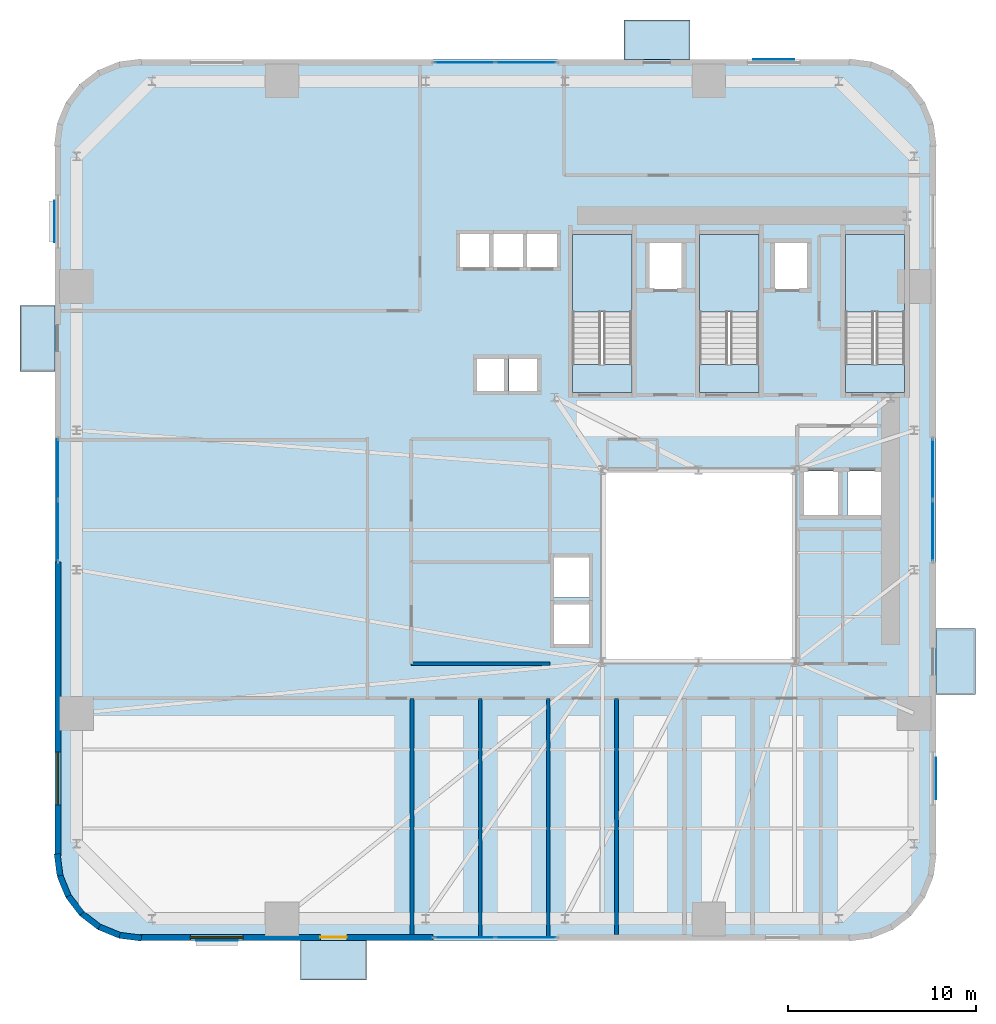
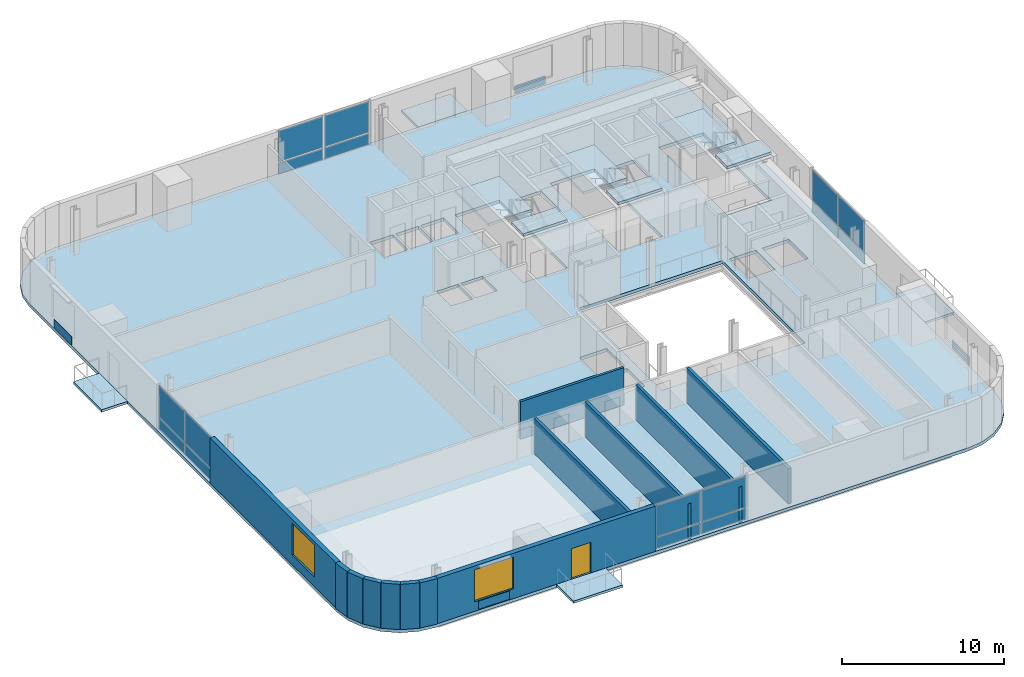
# One storey, part 5 of 13: 20 plates, 13 walls, 11 slabs, 2 windows, 1 door, 3 openings, 7 elements without a shape of their own.
"""IFC4 building model written with IfcOpenShell, lengths in metres."""

from ifc_helpers import new_model, si_unit, direction, frame, frame_2d, origin, origin_2d, place, context, subcontext, project, spatial, polyline, rectangle, outline, extrude, source, transform, mapped, material, layer, layer_set, type_object, element, fill, aggregate, save


model = new_model("IFC4")

# Units and contexts
model_context = context("Model", 3, precision=1e-05, world=origin(), true_north=direction((0.0, 1.0)))
body_context = subcontext(model_context, "Body", "Model", "MODEL_VIEW")
ifc_project = project(units=[si_unit("LENGTHUNIT", "METRE"), si_unit("AREAUNIT", "SQUARE_METRE"), si_unit("VOLUMEUNIT", "CUBIC_METRE"), si_unit("PLANEANGLEUNIT", "RADIAN"), si_unit("MASSUNIT", "GRAM", prefix="KILO")], contexts=[model_context])

# Site, building, storey
site_placement = place(None, origin())
site = spatial("IfcSite", under=ifc_project, at=site_placement, CompositionType="ELEMENT")
building_placement = place(site_placement, origin())
building = spatial("IfcBuilding", under=site, at=building_placement, Name="Vardaveli Station Tower", CompositionType="ELEMENT")
storey_placement = place(building_placement, frame((0.0, 0.0, 64.10009765625)))
storey = spatial("IfcBuildingStorey", under=building, at=storey_placement, Name="L16", CompositionType="ELEMENT", Elevation=64.10009765625)

# Stair, slabs
ifc_material_1 = material(Name="Concrete C40/50", Category="concrete")
stair_type = type_object("IfcStairType", Name="STR-CORE-1500", PredefinedType="HALF_TURN_STAIR", material=ifc_material_1)
stair_1_placement = place(storey_placement, origin())
stair_1 = element("IfcStair", 1, at=stair_1_placement, inside=storey, type_object=stair_type, Name="L16 ST-1", PredefinedType="HALF_TURN_STAIR")
ifc_layer_1 = layer(ifc_material_1, 0.199951171875, Name="Concrete C40/50")
ifc_layer_set_1 = layer_set([ifc_layer_1], Name="Concrete C40/50")
slab_type_1 = type_object("IfcSlabType", Name="SLB-LAND-200", PredefinedType="LANDING", material=ifc_layer_set_1)
slab_1_placement = place(storey_placement, frame((0.0, 0.0, 1.625)))
slab_1 = element("IfcSlab", 2, at=slab_1_placement, type_object=slab_type_1, Name="ST-1 landing 1", PredefinedType="LANDING", context=body_context, shape_type="SweptSolid", body=[
    extrude(outline(polyline([(32.75, 35.199951171875), (32.75, 39.300048828125), (29.60009765625, 39.300048828125), (29.60009765625, 35.199951171875), (32.75, 35.199951171875)])), origin(), (0.0, 0.0, 1.0), 0.199951171875),
])
slab_2_placement = place(storey_placement, frame((0.0, 0.0, 3.449951171875)))
slab_2 = element("IfcSlab", 3, at=slab_2_placement, type_object=slab_type_1, Name="ST-1 landing 2", PredefinedType="LANDING", context=body_context, shape_type="SweptSolid", body=[
    extrude(outline(polyline([(32.75, 30.89990234375), (32.75, 32.39990234375), (29.60009765625, 32.39990234375), (29.60009765625, 30.89990234375), (32.75, 30.89990234375)])), origin(), (0.0, 0.0, 1.0), 0.199951171875),
])
aggregate(stair_1, [slab_1, slab_2])

stair_2_placement = place(storey_placement, origin())
stair_2 = element("IfcStair", 4, at=stair_2_placement, inside=storey, type_object=stair_type, Name="L16 ST-2", PredefinedType="HALF_TURN_STAIR")
slab_3_placement = place(storey_placement, frame((0.0, 0.0, 1.625)))
slab_3 = element("IfcSlab", 5, at=slab_3_placement, type_object=slab_type_1, Name="ST-2 landing 1", PredefinedType="LANDING", context=body_context, shape_type="SweptSolid", body=[
    extrude(outline(polyline([(39.5, 35.199951171875), (39.5, 39.300048828125), (36.35009765625, 39.300048828125), (36.35009765625, 35.199951171875), (39.5, 35.199951171875)])), origin(), (0.0, 0.0, 1.0), 0.199951171875),
])
slab_4_placement = place(storey_placement, frame((0.0, 0.0, 3.449951171875)))
slab_4 = element("IfcSlab", 6, at=slab_4_placement, type_object=slab_type_1, Name="ST-2 landing 2", PredefinedType="LANDING", context=body_context, shape_type="SweptSolid", body=[
    extrude(outline(polyline([(39.5, 30.89990234375), (39.5, 32.39990234375), (36.35009765625, 32.39990234375), (36.35009765625, 30.89990234375), (39.5, 30.89990234375)])), origin(), (0.0, 0.0, 1.0), 0.199951171875),
])
aggregate(stair_2, [slab_3, slab_4])

stair_3_placement = place(storey_placement, origin())
stair_3 = element("IfcStair", 7, at=stair_3_placement, inside=storey, type_object=stair_type, Name="L16 ST-3", PredefinedType="HALF_TURN_STAIR")
slab_5_placement = place(storey_placement, frame((0.0, 0.0, 1.625)))
slab_5 = element("IfcSlab", 8, at=slab_5_placement, type_object=slab_type_1, Name="ST-3 landing 1", PredefinedType="LANDING", context=body_context, shape_type="SweptSolid", body=[
    extrude(outline(polyline([(47.25, 35.199951171875), (47.25, 39.300048828125), (44.10009765625, 39.300048828125), (44.10009765625, 35.199951171875), (47.25, 35.199951171875)])), origin(), (0.0, 0.0, 1.0), 0.199951171875),
])
slab_6_placement = place(storey_placement, frame((0.0, 0.0, 3.449951171875)))
slab_6 = element("IfcSlab", 9, at=slab_6_placement, type_object=slab_type_1, Name="ST-3 landing 2", PredefinedType="LANDING", context=body_context, shape_type="SweptSolid", body=[
    extrude(outline(polyline([(47.25, 30.89990234375), (47.25, 32.39990234375), (44.10009765625, 32.39990234375), (44.10009765625, 30.89990234375), (47.25, 30.89990234375)])), origin(), (0.0, 0.0, 1.0), 0.199951171875),
])
aggregate(stair_3, [slab_5, slab_6])

# Slabs
ifc_material_2 = material(Name="Precast concrete C45/55", Category="concrete")
ifc_layer_2 = layer(ifc_material_2, 0.179931640625, Name="Precast concrete C45/55")
ifc_layer_set_2 = layer_set([ifc_layer_2], Name="Precast concrete C45/55")
slab_type_2 = type_object("IfcSlabType", Name="SLB-LOGGIA-180", PredefinedType="FLOOR", material=ifc_layer_set_2)
slab_7_placement = place(storey_placement, frame((0.0, 0.0, -0.18017578125)))
element("IfcSlab", 10, at=slab_7_placement, inside=storey, type_object=slab_type_2, Name="LOG-L16-S", PredefinedType="FLOOR", context=body_context, shape_type="SweptSolid", body=[
    extrude(outline(polyline([(15.160400390625, -0.300048828125), (18.660400390625, -0.300048828125), (18.660400390625, 1.800048828125), (15.160400390625, 1.800048828125), (15.160400390625, -0.300048828125)])), origin(), (0.0, 0.0, 1.0), 0.18017578125),
])
slab_8_placement = place(storey_placement, frame((0.0, 0.0, -0.18017578125)))
element("IfcSlab", 11, at=slab_8_placement, inside=storey, type_object=slab_type_2, Name="LOG-L16-N", PredefinedType="FLOOR", context=body_context, shape_type="SweptSolid", body=[
    extrude(outline(polyline([(32.339599609375, 48.60009765625), (35.839599609375, 48.60009765625), (35.839599609375, 50.699951171875), (32.339599609375, 50.699951171875), (32.339599609375, 48.60009765625)])), origin(), (0.0, 0.0, 1.0), 0.18017578125),
])
slab_9_placement = place(storey_placement, frame((0.0, 0.0, -0.18017578125)))
element("IfcSlab", 12, at=slab_9_placement, inside=storey, type_object=slab_type_2, Name="LOG-L16-W", PredefinedType="FLOOR", context=body_context, shape_type="SweptSolid", body=[
    extrude(outline(polyline([(0.25, 32.03955078125), (2.10009765625, 32.03955078125), (2.10009765625, 35.53955078125), (0.25, 35.53955078125), (0.25, 32.03955078125)])), origin(), (0.0, 0.0, 1.0), 0.18017578125),
])
slab_10_placement = place(storey_placement, frame((0.0, 0.0, -0.18017578125)))
element("IfcSlab", 13, at=slab_10_placement, inside=storey, type_object=slab_type_2, Name="LOG-L16-E", PredefinedType="FLOOR", context=body_context, shape_type="SweptSolid", body=[
    extrude(outline(polyline([(48.89990234375, 14.8603515625), (51.0, 14.8603515625), (51.0, 18.3603515625), (48.89990234375, 18.3603515625), (48.89990234375, 14.8603515625)])), origin(), (0.0, 0.0, 1.0), 0.18017578125),
])
ifc_layer_3 = layer(ifc_material_1, 0.239990234375, Name="Concrete C40/50")
ifc_layer_set_3 = layer_set([ifc_layer_3], Name="Concrete C40/50")
slab_type_3 = type_object("IfcSlabType", Name="SLB-TOW-240", PredefinedType="FLOOR", material=ifc_layer_set_3)
slab_11_placement = place(storey_placement, frame((0.0, 0.0, -0.239990234375)))
element("IfcSlab", 14, at=slab_11_placement, inside=storey, type_object=slab_type_3, Name="SLB-L16-MAIN", PredefinedType="FLOOR", context=body_context, shape_type="SweptSolid", body=[
    extrude(outline(polyline([(2.10009765625, 6.300048828125), (2.25341796875, 5.13525390625), (2.702880859375, 4.050048828125), (3.41796875, 3.117919921875), (4.35009765625, 2.40283203125), (5.435302734375, 1.953369140625), (6.60009765625, 1.800048828125), (44.39990234375, 1.800048828125), (45.564697265625, 1.953369140625), (46.64990234375, 2.40283203125), (47.58203125, 3.117919921875), (48.297119140625, 4.050048828125), (48.74658203125, 5.13525390625), (48.89990234375, 6.300048828125), (48.89990234375, 44.10009765625), (48.74658203125, 45.2646484375), (48.297119140625, 46.35009765625), (47.58203125, 47.281982421875), (46.64990234375, 47.9970703125), (45.564697265625, 48.44677734375), (44.39990234375, 48.60009765625), (6.60009765625, 48.60009765625), (5.435302734375, 48.44677734375), (4.35009765625, 47.9970703125), (3.41796875, 47.281982421875), (2.702880859375, 46.35009765625), (2.25341796875, 45.2646484375), (2.10009765625, 44.10009765625), (2.10009765625, 6.300048828125)]), holes=[polyline([(31.199951171875, 16.60009765625), (41.39990234375, 16.60009765625), (41.39990234375, 26.800048828125), (31.199951171875, 26.800048828125), (31.199951171875, 16.60009765625)]), polyline([(32.75, 30.89990234375), (32.75, 39.300048828125), (29.60009765625, 39.300048828125), (29.60009765625, 30.89990234375), (32.75, 30.89990234375)]), polyline([(39.5, 30.89990234375), (39.5, 39.300048828125), (36.35009765625, 39.300048828125), (36.35009765625, 30.89990234375), (39.5, 30.89990234375)]), polyline([(47.25, 30.89990234375), (47.25, 39.300048828125), (44.10009765625, 39.300048828125), (44.10009765625, 30.89990234375), (47.25, 30.89990234375)]), polyline([(23.5849609375, 37.534912109375), (25.215087890625, 37.534912109375), (25.215087890625, 39.364990234375), (23.5849609375, 39.364990234375), (23.5849609375, 37.534912109375)]), polyline([(25.385009765625, 37.534912109375), (27.014892578125, 37.534912109375), (27.014892578125, 39.364990234375), (25.385009765625, 39.364990234375), (25.385009765625, 37.534912109375)]), polyline([(27.18505859375, 37.534912109375), (28.81494140625, 37.534912109375), (28.81494140625, 39.364990234375), (27.18505859375, 39.364990234375), (27.18505859375, 37.534912109375)]), polyline([(33.659912109375, 36.409912109375), (35.43994140625, 36.409912109375), (35.43994140625, 38.889892578125), (33.659912109375, 38.889892578125), (33.659912109375, 36.409912109375)]), polyline([(40.31005859375, 36.409912109375), (42.090087890625, 36.409912109375), (42.090087890625, 38.889892578125), (40.31005859375, 38.889892578125), (40.31005859375, 36.409912109375)]), polyline([(24.485107421875, 30.9599609375), (26.014892578125, 30.9599609375), (26.014892578125, 32.739990234375), (24.485107421875, 32.739990234375), (24.485107421875, 30.9599609375)]), polyline([(26.235107421875, 30.9599609375), (27.764892578125, 30.9599609375), (27.764892578125, 32.739990234375), (26.235107421875, 32.739990234375), (26.235107421875, 30.9599609375)]), polyline([(28.5849609375, 17.510009765625), (30.514892578125, 17.510009765625), (30.514892578125, 19.68994140625), (28.5849609375, 19.68994140625), (28.5849609375, 17.510009765625)]), polyline([(28.5849609375, 20.010009765625), (30.514892578125, 20.010009765625), (30.514892578125, 22.18994140625), (28.5849609375, 22.18994140625), (28.5849609375, 20.010009765625)]), polyline([(41.860107421875, 24.360107421875), (43.739990234375, 24.360107421875), (43.739990234375, 26.739990234375), (41.860107421875, 26.739990234375), (41.860107421875, 24.360107421875)]), polyline([(44.2099609375, 24.360107421875), (46.090087890625, 24.360107421875), (46.090087890625, 26.739990234375), (44.2099609375, 26.739990234375), (44.2099609375, 24.360107421875)])]), origin(), (0.0, 0.0, 1.0), 0.239990234375),
])

# Curtain wall, plates
ifc_material_3 = material(Name="Travertine stone and solar-control glass", Category="masonry")
curtain_wall_type = type_object("IfcCurtainWallType", Name="CW-SYS-2", PredefinedType="NOTDEFINED", material=ifc_material_3)
curtain_wall_1_placement = place(storey_placement, origin())
curtain_wall_1 = element("IfcCurtainWall", 15, at=curtain_wall_1_placement, inside=storey, type_object=curtain_wall_type, Name="CW-L16-S", PredefinedType="NOTDEFINED")
ifc_material_4 = material(Name="Double-glazed low-E solar-control glass", Category="glass")
ifc_layer_4 = layer(ifc_material_4, 0.035888671875, Name="Double-glazed low-E solar-control glass")
ifc_layer_set_4 = layer_set([ifc_layer_4], Name="Double-glazed low-E solar-control glass")
plate_type_1 = type_object("IfcPlateType", Name="CW-SYS-2-PAN", PredefinedType="CURTAIN_PANEL", material=ifc_layer_set_4)
shared_shape_1 = source(origin(), body_context, "Body", "SweptSolid", [
    extrude(rectangle(XDim=3.172607421875, YDim=0.035888671875, at=origin_2d()), origin(), (0.0, 0.0, 1.0), 0.822509765625),
])
plate_1_placement = place(storey_placement, frame((23.871337890625, 1.9599609375, 0.0849609375), z_axis=(0.0, 0.0, 1.0), x_axis=(1.0, 0.0, 0.0)))
plate_1 = element("IfcPlate", 16, at=plate_1_placement, type_object=plate_type_1, Name="CW-2 panel 1.1", PredefinedType="CURTAIN_PANEL", context=body_context, shape_type="MappedRepresentation", body=[
    mapped(shared_shape_1, transform((0.0, 0.0, 0.0), scale=1.0)),
])
plate_2_placement = place(storey_placement, frame((27.128662109375, 1.9599609375, 0.0849609375), z_axis=(0.0, 0.0, 1.0), x_axis=(1.0, 0.0, 0.0)))
plate_2 = element("IfcPlate", 17, at=plate_2_placement, type_object=plate_type_1, Name="CW-2 panel 2.1", PredefinedType="CURTAIN_PANEL", context=body_context, shape_type="MappedRepresentation", body=[
    mapped(shared_shape_1, transform((0.0, 0.0, 0.0), scale=1.0)),
])

curtain_wall_2_placement = place(storey_placement, origin())
curtain_wall_2 = element("IfcCurtainWall", 18, at=curtain_wall_2_placement, inside=storey, type_object=curtain_wall_type, Name="CW-L16-N", PredefinedType="NOTDEFINED")
plate_3_placement = place(storey_placement, frame((27.128662109375, 48.43994140625, 0.0849609375), z_axis=(0.0, 0.0, 1.0), x_axis=(-1.0, 0.0, 0.0)))
plate_3 = element("IfcPlate", 19, at=plate_3_placement, type_object=plate_type_1, Name="CW-2 panel 1.1", PredefinedType="CURTAIN_PANEL", context=body_context, shape_type="MappedRepresentation", body=[
    mapped(shared_shape_1, transform((0.0, 0.0, 0.0), scale=1.0)),
])
plate_4_placement = place(storey_placement, frame((23.871337890625, 48.43994140625, 0.0849609375), z_axis=(0.0, 0.0, 1.0), x_axis=(-1.0, 0.0, 0.0)))
plate_4 = element("IfcPlate", 20, at=plate_4_placement, type_object=plate_type_1, Name="CW-2 panel 2.1", PredefinedType="CURTAIN_PANEL", context=body_context, shape_type="MappedRepresentation", body=[
    mapped(shared_shape_1, transform((0.0, 0.0, 0.0), scale=1.0)),
])

curtain_wall_3_placement = place(storey_placement, origin())
curtain_wall_3 = element("IfcCurtainWall", 21, at=curtain_wall_3_placement, inside=storey, type_object=curtain_wall_type, Name="CW-L16-W", PredefinedType="NOTDEFINED")
plate_5_placement = place(storey_placement, frame((2.260009765625, 26.828857421875, 0.0849609375), z_axis=(0.0, 0.0, 1.0), x_axis=(0.0, -1.0, 0.0)))
plate_5 = element("IfcPlate", 22, at=plate_5_placement, type_object=plate_type_1, Name="CW-2 panel 1.1", PredefinedType="CURTAIN_PANEL", context=body_context, shape_type="MappedRepresentation", body=[
    mapped(shared_shape_1, transform((0.0, 0.0, 0.0), scale=1.0)),
])
plate_6_placement = place(storey_placement, frame((2.260009765625, 23.5712890625, 0.0849609375), z_axis=(0.0, 0.0, 1.0), x_axis=(0.0, -1.0, 0.0)))
plate_6 = element("IfcPlate", 23, at=plate_6_placement, type_object=plate_type_1, Name="CW-2 panel 2.1", PredefinedType="CURTAIN_PANEL", context=body_context, shape_type="MappedRepresentation", body=[
    mapped(shared_shape_1, transform((0.0, 0.0, 0.0), scale=1.0)),
])

curtain_wall_4_placement = place(storey_placement, origin())
curtain_wall_4 = element("IfcCurtainWall", 24, at=curtain_wall_4_placement, inside=storey, type_object=curtain_wall_type, Name="CW-L16-E", PredefinedType="NOTDEFINED")
plate_7_placement = place(storey_placement, frame((48.739990234375, 23.5712890625, 0.0849609375), z_axis=(0.0, 0.0, 1.0), x_axis=(0.0, 1.0, 0.0)))
plate_7 = element("IfcPlate", 25, at=plate_7_placement, type_object=plate_type_1, Name="CW-2 panel 1.1", PredefinedType="CURTAIN_PANEL", context=body_context, shape_type="MappedRepresentation", body=[
    mapped(shared_shape_1, transform((0.0, 0.0, 0.0), scale=1.0)),
])
plate_8_placement = place(storey_placement, frame((48.739990234375, 26.828857421875, 0.0849609375), z_axis=(0.0, 0.0, 1.0), x_axis=(0.0, 1.0, 0.0)))
plate_8 = element("IfcPlate", 26, at=plate_8_placement, type_object=plate_type_1, Name="CW-2 panel 2.1", PredefinedType="CURTAIN_PANEL", context=body_context, shape_type="MappedRepresentation", body=[
    mapped(shared_shape_1, transform((0.0, 0.0, 0.0), scale=1.0)),
])

# Plate
shared_shape_2 = source(origin(), body_context, "Body", "SweptSolid", [
    extrude(rectangle(XDim=3.172607421875, YDim=0.035888671875, at=origin_2d()), origin(), (0.0, 0.0, 1.0), 2.33251953125),
])
plate_9_placement = place(storey_placement, frame((23.871337890625, 1.9599609375, 0.992431640625), z_axis=(0.0, 0.0, 1.0), x_axis=(1.0, 0.0, 0.0)))
plate_9 = element("IfcPlate", 27, at=plate_9_placement, type_object=plate_type_1, Name="CW-2 panel 1.2", PredefinedType="CURTAIN_PANEL", context=body_context, shape_type="MappedRepresentation", body=[
    mapped(shared_shape_2, transform((0.0, 0.0, 0.0), scale=1.0)),
])

plate_10_placement = place(storey_placement, frame((27.128662109375, 1.9599609375, 0.992431640625), z_axis=(0.0, 0.0, 1.0), x_axis=(1.0, 0.0, 0.0)))
plate_10 = element("IfcPlate", 28, at=plate_10_placement, type_object=plate_type_1, Name="CW-2 panel 2.2", PredefinedType="CURTAIN_PANEL", context=body_context, shape_type="MappedRepresentation", body=[
    mapped(shared_shape_2, transform((0.0, 0.0, 0.0), scale=1.0)),
])

aggregate(curtain_wall_1, [plate_1, plate_9, plate_2, plate_10])

plate_11_placement = place(storey_placement, frame((27.128662109375, 48.43994140625, 0.992431640625), z_axis=(0.0, 0.0, 1.0), x_axis=(-1.0, 0.0, 0.0)))
plate_11 = element("IfcPlate", 29, at=plate_11_placement, type_object=plate_type_1, Name="CW-2 panel 1.2", PredefinedType="CURTAIN_PANEL", context=body_context, shape_type="MappedRepresentation", body=[
    mapped(shared_shape_2, transform((0.0, 0.0, 0.0), scale=1.0)),
])

plate_12_placement = place(storey_placement, frame((23.871337890625, 48.43994140625, 0.992431640625), z_axis=(0.0, 0.0, 1.0), x_axis=(-1.0, 0.0, 0.0)))
plate_12 = element("IfcPlate", 30, at=plate_12_placement, type_object=plate_type_1, Name="CW-2 panel 2.2", PredefinedType="CURTAIN_PANEL", context=body_context, shape_type="MappedRepresentation", body=[
    mapped(shared_shape_2, transform((0.0, 0.0, 0.0), scale=1.0)),
])

aggregate(curtain_wall_2, [plate_3, plate_11, plate_4, plate_12])

plate_13_placement = place(storey_placement, frame((2.260009765625, 26.828857421875, 0.992431640625), z_axis=(0.0, 0.0, 1.0), x_axis=(0.0, -1.0, 0.0)))
plate_13 = element("IfcPlate", 31, at=plate_13_placement, type_object=plate_type_1, Name="CW-2 panel 1.2", PredefinedType="CURTAIN_PANEL", context=body_context, shape_type="MappedRepresentation", body=[
    mapped(shared_shape_2, transform((0.0, 0.0, 0.0), scale=1.0)),
])

plate_14_placement = place(storey_placement, frame((2.260009765625, 23.5712890625, 0.992431640625), z_axis=(0.0, 0.0, 1.0), x_axis=(0.0, -1.0, 0.0)))
plate_14 = element("IfcPlate", 32, at=plate_14_placement, type_object=plate_type_1, Name="CW-2 panel 2.2", PredefinedType="CURTAIN_PANEL", context=body_context, shape_type="MappedRepresentation", body=[
    mapped(shared_shape_2, transform((0.0, 0.0, 0.0), scale=1.0)),
])

aggregate(curtain_wall_3, [plate_5, plate_13, plate_6, plate_14])

plate_15_placement = place(storey_placement, frame((48.739990234375, 23.5712890625, 0.992431640625), z_axis=(0.0, 0.0, 1.0), x_axis=(0.0, 1.0, 0.0)))
plate_15 = element("IfcPlate", 33, at=plate_15_placement, type_object=plate_type_1, Name="CW-2 panel 1.2", PredefinedType="CURTAIN_PANEL", context=body_context, shape_type="MappedRepresentation", body=[
    mapped(shared_shape_2, transform((0.0, 0.0, 0.0), scale=1.0)),
])

plate_16_placement = place(storey_placement, frame((48.739990234375, 26.828857421875, 0.992431640625), z_axis=(0.0, 0.0, 1.0), x_axis=(0.0, 1.0, 0.0)))
plate_16 = element("IfcPlate", 34, at=plate_16_placement, type_object=plate_type_1, Name="CW-2 panel 2.2", PredefinedType="CURTAIN_PANEL", context=body_context, shape_type="MappedRepresentation", body=[
    mapped(shared_shape_2, transform((0.0, 0.0, 0.0), scale=1.0)),
])

aggregate(curtain_wall_4, [plate_7, plate_15, plate_8, plate_16])

# Plates
ifc_material_5 = material(Name="Honed Caucasian travertine stone", Category="masonry")
ifc_layer_5 = layer(ifc_material_5, 0.034912109375, Name="Honed Caucasian travertine stone")
ifc_layer_set_5 = layer_set([ifc_layer_5], Name="Honed Caucasian travertine stone")
plate_type_2 = type_object("IfcPlateType", Name="PLT-TRAV-35", PredefinedType="SHEET", material=ifc_layer_set_5)
shared_shape_3 = source(origin(), body_context, "Body", "SweptSolid", [
    extrude(rectangle(XDim=2.199951171875, YDim=0.034912109375, at=origin_2d()), origin(), (0.0, 0.0, 1.0), 0.6201171875),
])
for number, where, z_axis, x_axis, name in (
    (35, (10.705078125, 1.79052734375, 0.06982421875), (0.0, 0.0, 1.0), (1.0, 0.0, 0.0), "PLT-TR-L16-S"),
    (36, (40.294921875, 48.609619140625, 0.06982421875), (0.0, 0.0, 1.0), (1.0, 0.0, 0.0), "PLT-TR-L16-N"),
    (37, (2.090576171875, 39.9951171875, 0.06982421875), (0.0, 0.0, 1.0), (0.0, 1.0, 0.0), "PLT-TR-L16-W"),
    (38, (48.909423828125, 10.405029296875, 0.06982421875), (0.0, 0.0, 1.0), (0.0, 1.0, 0.0), "PLT-TR-L16-E"),
):
    element("IfcPlate", number, at=place(storey_placement, frame(where, z_axis=z_axis, x_axis=x_axis)), inside=storey, type_object=plate_type_2, Name=name, PredefinedType="SHEET", context=body_context, shape_type="MappedRepresentation", body=[
        mapped(shared_shape_3, transform((0.0, 0.0, 0.0), scale=1.0)),
    ])

# Wall, openings, door, window
ifc_layer_6 = layer(ifc_material_2, 0.320068359375, Name="Precast concrete C45/55")
ifc_layer_set_6 = layer_set([ifc_layer_6], Name="Precast concrete C45/55")
wall_type_1 = type_object("IfcWallType", Name="WAL-EXT-STONE-320", PredefinedType="SOLIDWALL", material=ifc_layer_set_6)
shared_shape_4 = source(origin(), body_context, "Body", "SweptSolid", [
    extrude(rectangle(XDim=15.599853515625, YDim=0.320068359375, at=frame_2d((7.7998046875, 0.0))), origin(), (0.0, 0.0, 1.0), 3.409912109375),
])
wall_1_placement = place(storey_placement, frame((6.60009765625, 1.9599609375, 0.0), z_axis=(0.0, 0.0, 1.0), x_axis=(1.0, 0.0, 0.0)))
wall_1 = element("IfcWall", 39, at=wall_1_placement, inside=storey, type_object=wall_type_1, Name="EW-L16-S1", PredefinedType="SOLIDWALL", context=body_context, shape_type="MappedRepresentation", body=[
    mapped(shared_shape_4, transform((0.0, 0.0, 0.0), scale=1.0)),
])
shared_shape_5 = source(origin(), body_context, "Body", "SweptSolid", [
    extrude(rectangle(XDim=1.39990234375, YDim=2.300048828125, at=frame_2d((0.699951171875, 1.14990234375))), frame((0.0, 0.169921875, 0.0), z_axis=(0.0, -1.0, 0.0), x_axis=(1.0, 0.0, 0.0)), (0.0, 0.0, 1.0), 0.340087890625),
])
opening_1_placement = place(wall_1_placement, frame((9.6103515625, 0.0, 0.0)))
opening_1 = element("IfcOpeningElement", 40, at=opening_1_placement, cuts=wall_1, Name="Opening D-09", PredefinedType="OPENING", context=body_context, shape_type="MappedRepresentation", body=[
    mapped(shared_shape_5, transform((0.0, 0.0, 0.0), scale=1.0)),
])
shared_shape_6 = source(origin(), body_context, "Body", "SweptSolid", [
    extrude(rectangle(XDim=2.800048828125, YDim=2.39990234375, at=frame_2d((1.39990234375, 1.199951171875))), frame((0.0, 0.169921875, 0.0), z_axis=(0.0, -1.0, 0.0), x_axis=(1.0, 0.0, 0.0)), (0.0, 0.0, 1.0), 0.340087890625),
])
opening_2_placement = place(wall_1_placement, frame((2.705078125, 0.0, 0.719970703125)))
opening_2 = element("IfcOpeningElement", 41, at=opening_2_placement, cuts=wall_1, Name="Opening W-04", PredefinedType="OPENING", context=body_context, shape_type="MappedRepresentation", body=[
    mapped(shared_shape_6, transform((0.0, 0.0, 0.0), scale=1.0)),
])
ifc_material_6 = material(Name="Thermally broken aluminium glass", Category="aluminium")
door_type = type_object("IfcDoorType", Name="DR-LOG-1400x2300", OperationType="DOUBLE_DOOR_SLIDING", PredefinedType="DOOR", material=ifc_material_6)
shared_shape_7 = source(origin(), body_context, "Body", "SweptSolid", [
    extrude(rectangle(XDim=1.39990234375, YDim=2.300048828125, at=frame_2d((0.699951171875, 1.14990234375))), frame((0.0, 0.02490234375, 0.0), z_axis=(0.0, -1.0, 0.0), x_axis=(1.0, 0.0, 0.0)), (0.0, 0.0, 1.0), 0.050048828125),
])
door_placement = place(opening_1_placement, frame((1.39990234375, 0.0, 0.0), z_axis=(0.0, 0.0, 1.0), x_axis=(-1.0, 0.0, 0.0)))
door = element("IfcDoor", 42, at=door_placement, inside=storey, type_object=door_type, Name="DLG-L16-S", OperationType="DOUBLE_DOOR_SLIDING", OverallHeight=2.300048828125, OverallWidth=1.39990234375, PredefinedType="DOOR", context=body_context, shape_type="MappedRepresentation", body=[
    mapped(shared_shape_7, transform((0.0, 0.0, 0.0), scale=1.0)),
])
fill(opening_1, door)
ifc_material_7 = material(Name="Low-E solar-control glass", Category="glass")
window_type = type_object("IfcWindowType", Name="WIN-SUITE-2800x2400", PartitioningType="SINGLE_PANEL", PredefinedType="WINDOW", material=ifc_material_7)
shared_shape_8 = source(origin(), body_context, "Body", "SweptSolid", [
    extrude(rectangle(XDim=2.800048828125, YDim=2.39990234375, at=frame_2d((1.39990234375, 1.199951171875))), frame((0.0, 0.030029296875, 0.0), z_axis=(0.0, -1.0, 0.0), x_axis=(1.0, 0.0, 0.0)), (0.0, 0.0, 1.0), 0.06005859375),
])
window_1_placement = place(opening_2_placement, origin())
window_1 = element("IfcWindow", 43, at=window_1_placement, inside=storey, type_object=window_type, Name="WN-L16-S1", OverallHeight=2.39990234375, OverallWidth=2.800048828125, PartitioningType="SINGLE_PANEL", PredefinedType="WINDOW", context=body_context, shape_type="MappedRepresentation", body=[
    mapped(shared_shape_8, transform((0.0, 0.0, 0.0), scale=1.0)),
])
fill(opening_2, window_1)

# Wall, opening, window
wall_2_placement = place(storey_placement, frame((2.260009765625, 21.89990234375, 0.0), z_axis=(0.0, 0.0, 1.0), x_axis=(0.0, -1.0, 0.0)))
wall_2 = element("IfcWall", 44, at=wall_2_placement, inside=storey, type_object=wall_type_1, Name="EW-L16-W2", PredefinedType="SOLIDWALL", context=body_context, shape_type="MappedRepresentation", body=[
    mapped(shared_shape_4, transform((0.0, 0.0, 0.0), scale=1.0)),
])
opening_3_placement = place(wall_2_placement, frame((10.094970703125, 0.0, 0.719970703125)))
opening_3 = element("IfcOpeningElement", 45, at=opening_3_placement, cuts=wall_2, Name="Opening W-04", PredefinedType="OPENING", context=body_context, shape_type="MappedRepresentation", body=[
    mapped(shared_shape_6, transform((0.0, 0.0, 0.0), scale=1.0)),
])
window_2_placement = place(opening_3_placement, origin())
window_2 = element("IfcWindow", 46, at=window_2_placement, inside=storey, type_object=window_type, Name="WN-L16-W2", OverallHeight=2.39990234375, OverallWidth=2.800048828125, PartitioningType="SINGLE_PANEL", PredefinedType="WINDOW", context=body_context, shape_type="MappedRepresentation", body=[
    mapped(shared_shape_8, transform((0.0, 0.0, 0.0), scale=1.0)),
])
fill(opening_3, window_2)

# Walls
shared_shape_9 = source(origin(), body_context, "Body", "SweptSolid", [
    extrude(rectangle(XDim=1.170654296875, YDim=0.320068359375, at=frame_2d((0.58544921875, 0.0))), origin(), (0.0, 0.0, 1.0), 3.409912109375),
])
wall_3_placement = place(storey_placement, frame((2.224365234375, 6.400634765625, 0.0), z_axis=(0.0, 0.0, 1.0), x_axis=(0.128269133229, -0.991739395941, 0.0)))
element("IfcWall", 47, at=wall_3_placement, inside=storey, type_object=wall_type_1, Name="EW-L16-CR1-1", PredefinedType="SOLIDWALL", context=body_context, shape_type="MappedRepresentation", body=[
    mapped(shared_shape_9, transform((0.0, 0.0, 0.0), scale=1.0)),
])
shared_shape_10 = source(origin(), body_context, "Body", "SweptSolid", [
    extrude(rectangle(XDim=1.1689453125, YDim=0.320068359375, at=frame_2d((0.58447265625, 0.0))), origin(), (0.0, 0.0, 1.0), 3.409912109375),
])
for number, where, z_axis, x_axis, name in (
    (48, (2.37451171875, 5.23974609375, 0.0), (0.0, 0.0, 1.0), (0.381127904695, -0.924522320046, 0.0), "EW-L16-CR1-2"),
    (49, (2.820068359375, 4.158935546875, 0.0), (0.0, 0.0, 1.0), (0.608387696831, -0.793639975269, 0.0), "EW-L16-CR1-3"),
):
    element("IfcWall", number, at=place(storey_placement, frame(where, z_axis=z_axis, x_axis=x_axis)), inside=storey, type_object=wall_type_1, Name=name, PredefinedType="SOLIDWALL", context=body_context, shape_type="MappedRepresentation", body=[
        mapped(shared_shape_10, transform((0.0, 0.0, 0.0), scale=1.0)),
    ])
shared_shape_11 = source(origin(), body_context, "Body", "SweptSolid", [
    extrude(rectangle(XDim=1.168701171875, YDim=0.320068359375, at=frame_2d((0.58447265625, 0.0))), origin(), (0.0, 0.0, 1.0), 3.409912109375),
])
wall_4_placement = place(storey_placement, frame((3.53125, 3.231201171875, 0.0), z_axis=(0.0, 0.0, 1.0), x_axis=(0.793663520347, -0.608356981114, 0.0)))
element("IfcWall", 50, at=wall_4_placement, inside=storey, type_object=wall_type_1, Name="EW-L16-CR1-4", PredefinedType="SOLIDWALL", context=body_context, shape_type="MappedRepresentation", body=[
    mapped(shared_shape_11, transform((0.0, 0.0, 0.0), scale=1.0)),
])
shared_shape_12 = source(origin(), body_context, "Body", "SweptSolid", [
    extrude(rectangle(XDim=1.16943359375, YDim=0.320068359375, at=frame_2d((0.584716796875, 0.0))), origin(), (0.0, 0.0, 1.0), 3.409912109375),
])
wall_5_placement = place(storey_placement, frame((4.458740234375, 2.520263671875, 0.0), z_axis=(0.0, 0.0, 1.0), x_axis=(0.924479075121, -0.381232789334, 0.0)))
element("IfcWall", 51, at=wall_5_placement, inside=storey, type_object=wall_type_1, Name="EW-L16-CR1-5", PredefinedType="SOLIDWALL", context=body_context, shape_type="MappedRepresentation", body=[
    mapped(shared_shape_12, transform((0.0, 0.0, 0.0), scale=1.0)),
])
shared_shape_13 = source(origin(), body_context, "Body", "SweptSolid", [
    extrude(rectangle(XDim=1.170166015625, YDim=0.320068359375, at=frame_2d((0.5849609375, 0.0))), origin(), (0.0, 0.0, 1.0), 3.409912109375),
])
wall_6_placement = place(storey_placement, frame((5.539794921875, 2.074462890625, 0.0), z_axis=(0.0, 0.0, 1.0), x_axis=(0.991762485493, -0.128090485085, 0.0)))
element("IfcWall", 52, at=wall_6_placement, inside=storey, type_object=wall_type_1, Name="EW-L16-CR1-6", PredefinedType="SOLIDWALL", context=body_context, shape_type="MappedRepresentation", body=[
    mapped(shared_shape_13, transform((0.0, 0.0, 0.0), scale=1.0)),
])
ifc_material_8 = material(Name="Acoustic twin-stud gypsum partition")
ifc_layer_7 = layer(ifc_material_8, 0.199951171875, Name="Acoustic twin-stud gypsum partition")
ifc_layer_set_7 = layer_set([ifc_layer_7], Name="Acoustic twin-stud gypsum partition")
wall_type_2 = type_object("IfcWallType", Name="WAL-PARTY-200", PredefinedType="PARTITIONING", material=ifc_layer_set_7)
shared_shape_14 = source(origin(), body_context, "Body", "SweptSolid", [
    extrude(rectangle(XDim=12.537841796875, YDim=0.199951171875, at=frame_2d((6.26904296875, 0.0))), origin(), (0.0, 0.0, 1.0), 2.65185546875),
])
for number, where, z_axis, x_axis, name in (
    (53, (21.080078125, 2.1220703125, 0.0), (0.0, 0.0, 1.0), (0.0, 1.0, 0.0), "W-L16-PS1"),
    (54, (31.93408203125, 2.1220703125, 0.0), (0.0, 0.0, 1.0), (0.0, 1.0, 0.0), "W-L16-PS4"),
):
    element("IfcWall", number, at=place(storey_placement, frame(where, z_axis=z_axis, x_axis=x_axis)), inside=storey, type_object=wall_type_2, Name=name, PredefinedType="PARTITIONING", context=body_context, shape_type="MappedRepresentation", body=[
        mapped(shared_shape_14, transform((0.0, 0.0, 0.0), scale=1.0)),
    ])
shared_shape_15 = source(origin(), body_context, "Body", "SweptSolid", [
    extrude(rectangle(XDim=12.72998046875, YDim=0.199951171875, at=frame_2d((6.364990234375, 0.0))), origin(), (0.0, 0.0, 1.0), 2.65185546875),
])
for number, where, z_axis, x_axis, name in (
    (55, (24.697998046875, 1.929931640625, 0.0), (0.0, 0.0, 1.0), (0.0, 1.0, 0.0), "W-L16-PS2"),
    (56, (28.31591796875, 1.929931640625, 0.0), (0.0, 0.0, 1.0), (0.0, 1.0, 0.0), "W-L16-PS3"),
):
    element("IfcWall", number, at=place(storey_placement, frame(where, z_axis=z_axis, x_axis=x_axis)), inside=storey, type_object=wall_type_2, Name=name, PredefinedType="PARTITIONING", context=body_context, shape_type="MappedRepresentation", body=[
        mapped(shared_shape_15, transform((0.0, 0.0, 0.0), scale=1.0)),
    ])
ifc_material_9 = material(Name="Fire-rated gypsum stud partition")
ifc_layer_8 = layer(ifc_material_9, 0.179931640625, Name="Fire-rated gypsum stud partition")
ifc_layer_set_8 = layer_set([ifc_layer_8], Name="Fire-rated gypsum stud partition")
wall_type_3 = type_object("IfcWallType", Name="WAL-CORR-180", PredefinedType="PARTITIONING", material=ifc_layer_set_8)
shared_shape_16 = source(origin(), body_context, "Body", "SweptSolid", [
    extrude(rectangle(XDim=7.369873046875, YDim=0.179931640625, at=frame_2d((3.68505859375, 0.0))), origin(), (0.0, 0.0, 1.0), 2.802001953125),
])
wall_7_placement = place(storey_placement, frame((21.030029296875, 16.5, 0.0), z_axis=(0.0, 0.0, 1.0), x_axis=(1.0, 0.0, 0.0)))
element("IfcWall", 57, at=wall_7_placement, inside=storey, type_object=wall_type_3, Name="W-L16-ATW1-S", PredefinedType="PARTITIONING", context=body_context, shape_type="MappedRepresentation", body=[
    mapped(shared_shape_16, transform((0.0, 0.0, 0.0), scale=1.0)),
])

save(model, "model.ifc")
